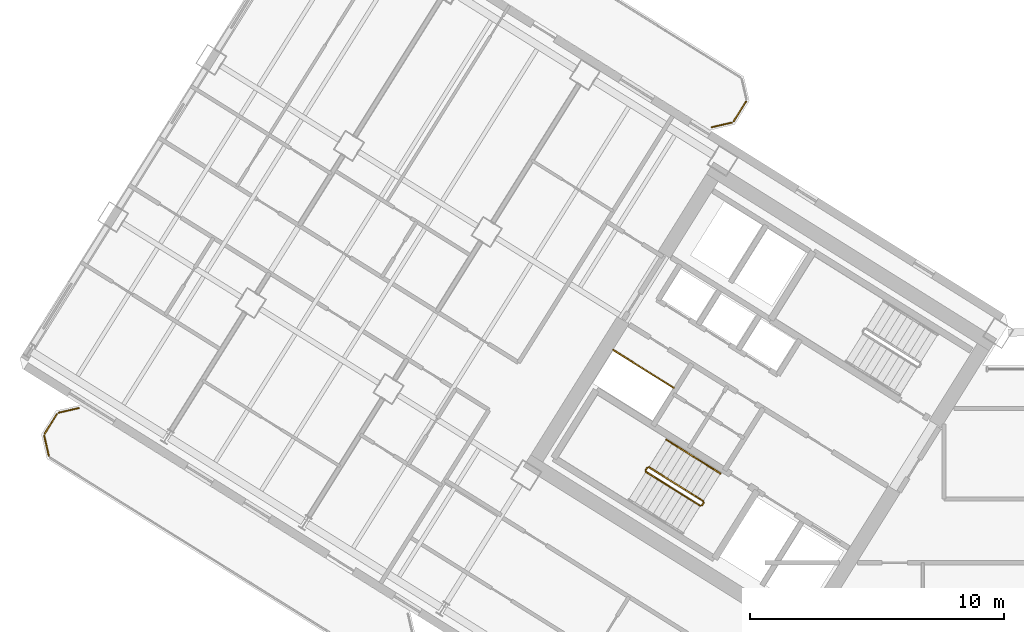
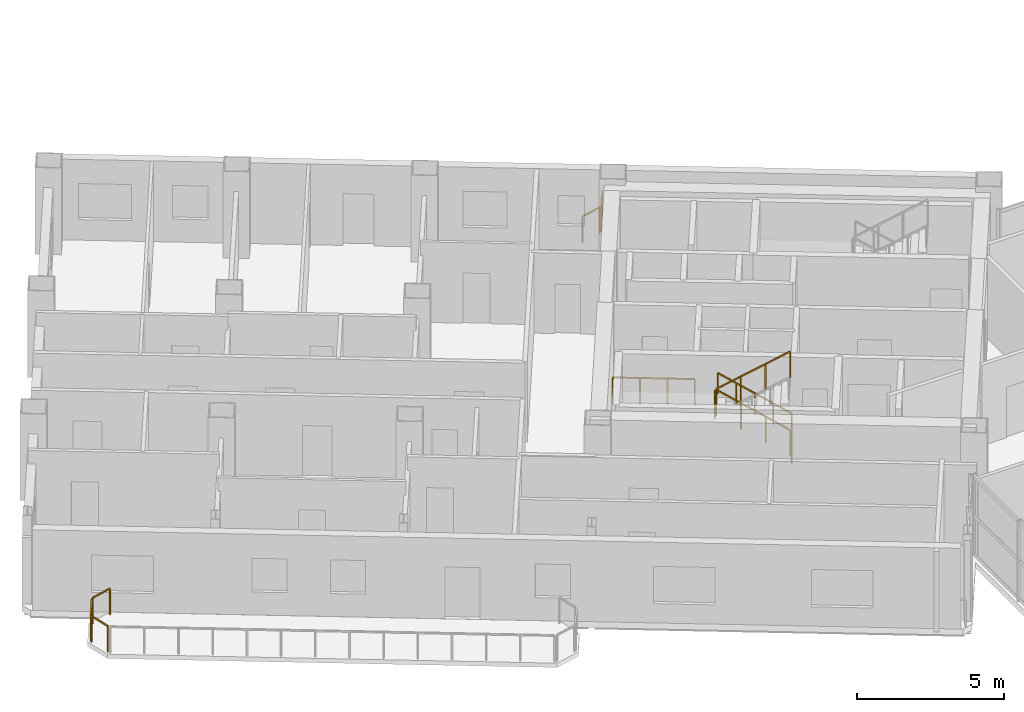
# One storey, part 23 of 25: 12 railings.
"""IFC4 building model written with IfcOpenShell, lengths in metres."""

from ifc_helpers import new_model, si_unit, direction, frame, origin, origin_2d, place, context, subcontext, project, spatial, rectangle, extrude, source, transform, mapped, material, type_object, element, save


model = new_model("IFC4")

# Units and contexts
model_context = context("Model", 3, precision=1e-05, world=origin(), true_north=direction((0.0, 1.0)))
body_context = subcontext(model_context, "Body", "Model", "MODEL_VIEW")
ifc_project = project(units=[si_unit("LENGTHUNIT", "METRE"), si_unit("AREAUNIT", "SQUARE_METRE"), si_unit("VOLUMEUNIT", "CUBIC_METRE"), si_unit("PLANEANGLEUNIT", "RADIAN"), si_unit("MASSUNIT", "GRAM", prefix="KILO")], contexts=[model_context])

# Site, building, storey
site_placement = place(None, origin())
site = spatial("IfcSite", under=ifc_project, at=site_placement, CompositionType="ELEMENT")
building_placement = place(site_placement, origin())
building = spatial("IfcBuilding", under=site, at=building_placement, Name="Tlacorven Tower", CompositionType="ELEMENT")
storey_placement = place(building_placement, frame((0.0, 0.0, 155.10009765625)))
storey = spatial("IfcBuildingStorey", under=building, at=storey_placement, Name="L39", CompositionType="ELEMENT", Elevation=155.10009765625)

# Railings
ifc_material = material(Name="Aluminium and painted steel balustrade", Category="steel")
railing_type_1 = type_object("IfcRailingType", Name="RL-GRD-1100", PredefinedType="GUARDRAIL", material=ifc_material)
shared_shape_1 = source(origin(), body_context, "Body", "SweptSolid", [
    extrude(rectangle(XDim=0.048095703125, YDim=0.048095703125, at=origin_2d()), frame((0.0, 0.0, 1.076171875), z_axis=(-0.848091358275, 0.529850024081, 0.0), x_axis=(-0.529850024081, -0.848091358275, 0.0)), (0.0, 0.0, 1.0), 2.800048828125),
    extrude(rectangle(XDim=0.0419921875, YDim=0.0419921875, at=origin_2d()), origin(), (0.0, 0.0, 1.0), 1.052001953125),
    extrude(rectangle(XDim=0.0419921875, YDim=0.0419921875, at=origin_2d()), frame((-0.79150390625, 0.49462890625, 0.0)), (0.0, 0.0, 1.0), 1.052001953125),
    extrude(rectangle(XDim=0.0419921875, YDim=0.0419921875, at=origin_2d()), frame((-1.583251953125, 0.989013671875, 0.0)), (0.0, 0.0, 1.0), 1.052001953125),
    extrude(rectangle(XDim=0.0419921875, YDim=0.0419921875, at=origin_2d()), frame((-2.374755859375, 1.483642578125, 0.0)), (0.0, 0.0, 1.0), 1.052001953125),
])
railing_1_placement = place(storey_placement, frame((27.9912109375, 22.32080078125, 0.0)))
element("IfcRailing", 1, at=railing_1_placement, inside=storey, type_object=railing_type_1, Name="L39 Electrical Riser W Shaft Guard 1", PredefinedType="GUARDRAIL", context=body_context, shape_type="MappedRepresentation", body=[
    mapped(shared_shape_1, transform((0.0, 0.0, 0.0), scale=1.0)),
])
railing_type_2 = type_object("IfcRailingType", Name="RL-BAL-1100", PredefinedType="BALUSTRADE", material=ifc_material)
shared_shape_2 = source(origin(), body_context, "Body", "SweptSolid", [
    extrude(rectangle(XDim=0.048095703125, YDim=0.048095703125, at=origin_2d()), frame((0.0, 0.0, 1.076171875), z_axis=(-0.52987865805, -0.848073468364, 0.0), x_axis=(0.848073468364, -0.52987865805, 0.0)), (0.0, 0.0, 1.0), 0.912353515625),
    extrude(rectangle(XDim=0.0419921875, YDim=0.0419921875, at=origin_2d()), origin(), (0.0, 0.0, 1.0), 1.052001953125),
    extrude(rectangle(XDim=0.0419921875, YDim=0.0419921875, at=origin_2d()), frame((-0.4833984375, -0.773681640625, 0.0)), (0.0, 0.0, 1.0), 1.052001953125),
])
railing_2_placement = place(storey_placement, frame((30.845947265625, 33.588623046875, 0.0)))
element("IfcRailing", 2, at=railing_2_placement, inside=storey, type_object=railing_type_2, Name="BAL-L39-W-IN Guard Railing 2", PredefinedType="BALUSTRADE", context=body_context, shape_type="MappedRepresentation", body=[
    mapped(shared_shape_2, transform((0.0, 0.0, 0.0), scale=1.0)),
])
shared_shape_3 = source(origin(), body_context, "Body", "SweptSolid", [
    extrude(rectangle(XDim=0.048095703125, YDim=0.048095703125, at=origin_2d()), frame((0.0, 0.0, 1.076171875), z_axis=(-0.225058334816, 0.974345290916, 0.0), x_axis=(-0.974345290916, -0.225058334816, 0.0)), (0.0, 0.0, 1.0), 0.80712890625),
    extrude(rectangle(XDim=0.0419921875, YDim=0.0419921875, at=origin_2d()), origin(), (0.0, 0.0, 1.0), 1.052001953125),
    extrude(rectangle(XDim=0.0419921875, YDim=0.0419921875, at=origin_2d()), frame((-0.181640625, 0.786376953125, 0.0)), (0.0, 0.0, 1.0), 1.052001953125),
])
railing_3_placement = place(storey_placement, frame((3.380859375, 19.62841796875, 0.0)))
element("IfcRailing", 3, at=railing_3_placement, inside=storey, type_object=railing_type_2, Name="BAL-L39-W-OUT Guard Railing 5", PredefinedType="BALUSTRADE", context=body_context, shape_type="MappedRepresentation", body=[
    mapped(shared_shape_3, transform((0.0, 0.0, 0.0), scale=1.0)),
])
shared_shape_4 = source(origin(), body_context, "Body", "SweptSolid", [
    extrude(rectangle(XDim=0.048095703125, YDim=0.048095703125, at=origin_2d()), frame((0.0, 0.0, 1.076171875), z_axis=(0.52987865805, 0.848073468364, 0.0), x_axis=(-0.848073468364, 0.52987865805, 0.0)), (0.0, 0.0, 1.0), 0.912353515625),
    extrude(rectangle(XDim=0.0419921875, YDim=0.0419921875, at=origin_2d()), origin(), (0.0, 0.0, 1.0), 1.052001953125),
    extrude(rectangle(XDim=0.0419921875, YDim=0.0419921875, at=origin_2d()), frame((0.4833984375, 0.773681640625, 0.0)), (0.0, 0.0, 1.0), 1.052001953125),
])
railing_4_placement = place(storey_placement, frame((3.214599609375, 20.505859375, 0.0)))
element("IfcRailing", 4, at=railing_4_placement, inside=storey, type_object=railing_type_2, Name="BAL-L39-W-OUT Guard Railing 6", PredefinedType="BALUSTRADE", context=body_context, shape_type="MappedRepresentation", body=[
    mapped(shared_shape_4, transform((0.0, 0.0, 0.0), scale=1.0)),
])
shared_shape_5 = source(origin(), body_context, "Body", "SweptSolid", [
    extrude(rectangle(XDim=0.048095703125, YDim=0.048095703125, at=origin_2d()), frame((0.0, 0.0, 1.076171875), z_axis=(0.974345290916, 0.225058334816, 0.0), x_axis=(-0.225058334816, 0.974345290916, 0.0)), (0.0, 0.0, 1.0), 0.80712890625),
    extrude(rectangle(XDim=0.0419921875, YDim=0.0419921875, at=origin_2d()), origin(), (0.0, 0.0, 1.0), 1.052001953125),
    extrude(rectangle(XDim=0.0419921875, YDim=0.0419921875, at=origin_2d()), frame((0.786376953125, 0.181640625, 0.0)), (0.0, 0.0, 1.0), 1.052001953125),
])
railing_5_placement = place(storey_placement, frame((3.773193359375, 21.3330078125, 0.0)))
element("IfcRailing", 5, at=railing_5_placement, inside=storey, type_object=railing_type_2, Name="BAL-L39-W-OUT Guard Railing 7", PredefinedType="BALUSTRADE", context=body_context, shape_type="MappedRepresentation", body=[
    mapped(shared_shape_5, transform((0.0, 0.0, 0.0), scale=1.0)),
])
shared_shape_6 = source(origin(), body_context, "Body", "SweptSolid", [
    extrude(rectangle(XDim=0.048095703125, YDim=0.048095703125, at=origin_2d()), frame((0.0, 0.0, 1.076171875), z_axis=(-0.974345290916, -0.225058334816, 0.0), x_axis=(0.225058334816, -0.974345290916, 0.0)), (0.0, 0.0, 1.0), 0.80712890625),
    extrude(rectangle(XDim=0.0419921875, YDim=0.0419921875, at=origin_2d()), origin(), (0.0, 0.0, 1.0), 1.052001953125),
    extrude(rectangle(XDim=0.0419921875, YDim=0.0419921875, at=origin_2d()), frame((-0.786376953125, -0.181640625, 0.0)), (0.0, 0.0, 1.0), 1.052001953125),
])
railing_6_placement = place(storey_placement, frame((30.287353515625, 32.761474609375, 0.0)))
element("IfcRailing", 6, at=railing_6_placement, inside=storey, type_object=railing_type_2, Name="BAL-L39-W-IN Guard Railing 3", PredefinedType="BALUSTRADE", context=body_context, shape_type="MappedRepresentation", body=[
    mapped(shared_shape_6, transform((0.0, 0.0, 0.0), scale=1.0)),
])
shared_shape_7 = source(origin(), body_context, "Body", "SweptSolid", [
    extrude(rectangle(XDim=0.048095703125, YDim=0.048095703125, at=origin_2d()), frame((0.0, 0.0, 1.076171875), z_axis=(-0.529084052582, -0.848569422795, 0.0), x_axis=(0.848569422795, -0.529084052582, 0.0)), (0.0, 0.0, 1.0), 0.119873046875),
    extrude(rectangle(XDim=0.0419921875, YDim=0.0419921875, at=origin_2d()), origin(), (0.0, 0.0, 1.0), 1.052001953125),
    extrude(rectangle(XDim=0.0419921875, YDim=0.0419921875, at=origin_2d()), frame((-0.0634765625, -0.101806640625, 0.0)), (0.0, 0.0, 1.0), 1.052001953125),
])
railing_7_placement = place(storey_placement, frame((29.176513671875, 17.782958984375, 0.0)))
element("IfcRailing", 7, at=railing_7_placement, inside=storey, type_object=railing_type_1, Name="L39 ST-W1 stair guard 4", PredefinedType="GUARDRAIL", context=body_context, shape_type="MappedRepresentation", body=[
    mapped(shared_shape_7, transform((0.0, 0.0, 0.0), scale=1.0)),
])
shared_shape_8 = source(origin(), body_context, "Body", "SweptSolid", [
    extrude(rectangle(XDim=0.048095703125, YDim=0.048095703125, at=origin_2d()), frame((0.0, 0.0, 1.076171875), z_axis=(-0.530546985787, -0.847655529016, 0.0), x_axis=(0.847655529016, -0.530546985787, 0.0)), (0.0, 0.0, 1.0), 0.1201171875),
    extrude(rectangle(XDim=0.0419921875, YDim=0.0419921875, at=origin_2d()), origin(), (0.0, 0.0, 1.0), 1.052001953125),
    extrude(rectangle(XDim=0.0419921875, YDim=0.0419921875, at=origin_2d()), frame((-0.063720703125, -0.101806640625, 0.0)), (0.0, 0.0, 1.0), 1.052001953125),
])
railing_8_placement = place(storey_placement, frame((26.954833984375, 19.17138671875, 1.7998046875)))
element("IfcRailing", 8, at=railing_8_placement, inside=storey, type_object=railing_type_1, Name="L39 ST-W1 stair guard 2", PredefinedType="GUARDRAIL", context=body_context, shape_type="MappedRepresentation", body=[
    mapped(shared_shape_8, transform((0.0, 0.0, 0.0), scale=1.0)),
])
railing_type_3 = type_object("IfcRailingType", Name="RL-HND-0900", PredefinedType="HANDRAIL", material=ifc_material)
shared_shape_9 = source(origin(), body_context, "Body", "SweptSolid", [
    extrude(rectangle(XDim=0.048095703125, YDim=0.048095703125, at=origin_2d()), frame((0.0, 0.0, 0.8759765625), z_axis=(-0.713359751793, 0.4457479829, 0.540764828981), x_axis=(-0.529911857636, -0.848052724267, 0.0)), (0.0, 0.0, 1.0), 1.498046875),
    extrude(rectangle(XDim=0.0419921875, YDim=0.0419921875, at=origin_2d()), origin(), (0.0, 0.0, 1.0), 0.851806640625),
    extrude(rectangle(XDim=0.0419921875, YDim=0.0419921875, at=origin_2d()), frame((-0.5341796875, 0.333984375, 0.405029296875)), (0.0, 0.0, 1.0), 0.851806640625),
    extrude(rectangle(XDim=0.0419921875, YDim=0.0419921875, at=origin_2d()), frame((-1.068603515625, 0.667724609375, 0.81005859375)), (0.0, 0.0, 1.0), 0.851806640625),
])
railing_9_placement = place(storey_placement, frame((29.839111328125, 18.937255859375, 0.179931640625)))
element("IfcRailing", 9, at=railing_9_placement, inside=storey, type_object=railing_type_3, Name="L39 ST-W1 stair handrail 1", PredefinedType="HANDRAIL", context=body_context, shape_type="MappedRepresentation", body=[
    mapped(shared_shape_9, transform((0.0, 0.0, 0.0), scale=1.0)),
])
shared_shape_10 = source(origin(), body_context, "Body", "SweptSolid", [
    extrude(rectangle(XDim=0.048095703125, YDim=0.048095703125, at=origin_2d()), frame((0.0, 0.0, 1.076171875), z_axis=(-0.713351164325, 0.445793541512, 0.540738601085), x_axis=(-0.529955395941, -0.84802551749, 0.0)), (0.0, 0.0, 1.0), 2.99560546875),
    extrude(rectangle(XDim=0.0419921875, YDim=0.0419921875, at=origin_2d()), origin(), (0.0, 0.0, 1.0), 1.052001953125),
    extrude(rectangle(XDim=0.0419921875, YDim=0.0419921875, at=origin_2d()), frame((-0.71240234375, 0.445068359375, 0.5400390625)), (0.0, 0.0, 1.0), 1.052001953125),
    extrude(rectangle(XDim=0.0419921875, YDim=0.0419921875, at=origin_2d()), frame((-1.424560546875, 0.890380859375, 1.079833984375)), (0.0, 0.0, 1.0), 1.052001953125),
    extrude(rectangle(XDim=0.0419921875, YDim=0.0419921875, at=origin_2d()), frame((-2.136962890625, 1.33544921875, 1.619873046875)), (0.0, 0.0, 1.0), 1.052001953125),
])
railing_10_placement = place(storey_placement, frame((29.16064453125, 17.851806640625, 0.179931640625)))
element("IfcRailing", 10, at=railing_10_placement, inside=storey, type_object=railing_type_1, Name="L39 ST-W1 stair guard 1", PredefinedType="GUARDRAIL", context=body_context, shape_type="MappedRepresentation", body=[
    mapped(shared_shape_10, transform((0.0, 0.0, 0.0), scale=1.0)),
])
shared_shape_11 = source(origin(), body_context, "Body", "SweptSolid", [
    extrude(rectangle(XDim=0.048095703125, YDim=0.048095703125, at=origin_2d()), frame((0.0, 0.0, 1.076171875), z_axis=(0.71339118691, -0.44576762536, 0.540707165313), x_axis=(0.529911857636, 0.848052724267, 0.0)), (0.0, 0.0, 1.0), 2.995849609375),
    extrude(rectangle(XDim=0.0419921875, YDim=0.0419921875, at=origin_2d()), origin(), (0.0, 0.0, 1.0), 1.052001953125),
    extrude(rectangle(XDim=0.0419921875, YDim=0.0419921875, at=origin_2d()), frame((0.71240234375, -0.445068359375, 0.5400390625)), (0.0, 0.0, 1.0), 1.052001953125),
    extrude(rectangle(XDim=0.0419921875, YDim=0.0419921875, at=origin_2d()), frame((1.4248046875, -0.890380859375, 1.079833984375)), (0.0, 0.0, 1.0), 1.052001953125),
    extrude(rectangle(XDim=0.0419921875, YDim=0.0419921875, at=origin_2d()), frame((2.13720703125, -1.33544921875, 1.619873046875)), (0.0, 0.0, 1.0), 1.052001953125),
])
railing_11_placement = place(storey_placement, frame((26.906982421875, 19.000732421875, 1.97998046875)))
element("IfcRailing", 11, at=railing_11_placement, inside=storey, type_object=railing_type_1, Name="L39 ST-W1 stair guard 3", PredefinedType="GUARDRAIL", context=body_context, shape_type="MappedRepresentation", body=[
    mapped(shared_shape_11, transform((0.0, 0.0, 0.0), scale=1.0)),
])
shared_shape_12 = source(origin(), body_context, "Body", "SweptSolid", [
    extrude(rectangle(XDim=0.048095703125, YDim=0.048095703125, at=origin_2d()), frame((0.0, 0.0, 0.8759765625), z_axis=(-0.713422621445, 0.445787267455, 0.540649494022), x_axis=(-0.529911857636, -0.848052724267, 0.0)), (0.0, 0.0, 1.0), 1.497802734375),
    extrude(rectangle(XDim=0.0419921875, YDim=0.0419921875, at=origin_2d()), origin(), (0.0, 0.0, 1.0), 0.851806640625),
    extrude(rectangle(XDim=0.0419921875, YDim=0.0419921875, at=origin_2d()), frame((-0.5341796875, 0.333984375, 0.40478515625)), (0.0, 0.0, 1.0), 0.851806640625),
    extrude(rectangle(XDim=0.0419921875, YDim=0.0419921875, at=origin_2d()), frame((-1.068603515625, 0.667724609375, 0.809814453125)), (0.0, 0.0, 1.0), 0.851806640625),
])
railing_12_placement = place(storey_placement, frame((28.7705078125, 19.60498046875, 0.989990234375)))
element("IfcRailing", 12, at=railing_12_placement, inside=storey, type_object=railing_type_3, Name="L39 ST-W1 stair handrail 2", PredefinedType="HANDRAIL", context=body_context, shape_type="MappedRepresentation", body=[
    mapped(shared_shape_12, transform((0.0, 0.0, 0.0), scale=1.0)),
])

save(model, "model.ifc")
